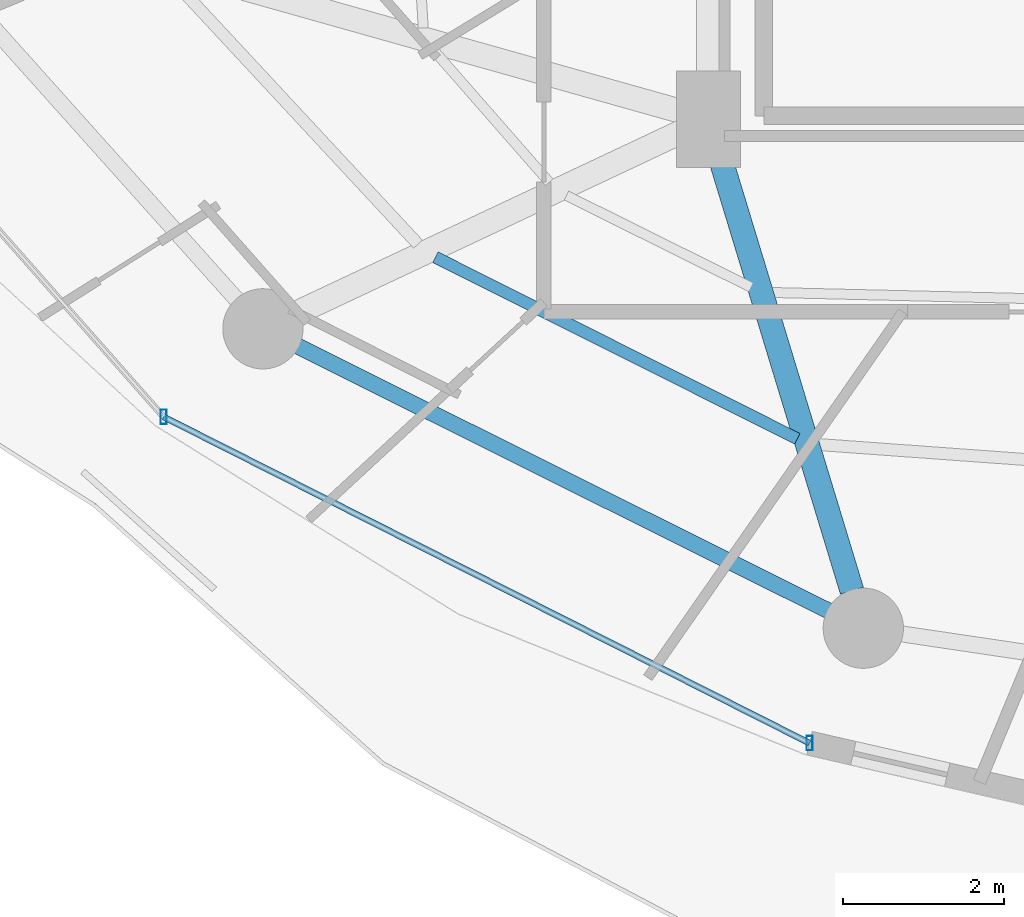
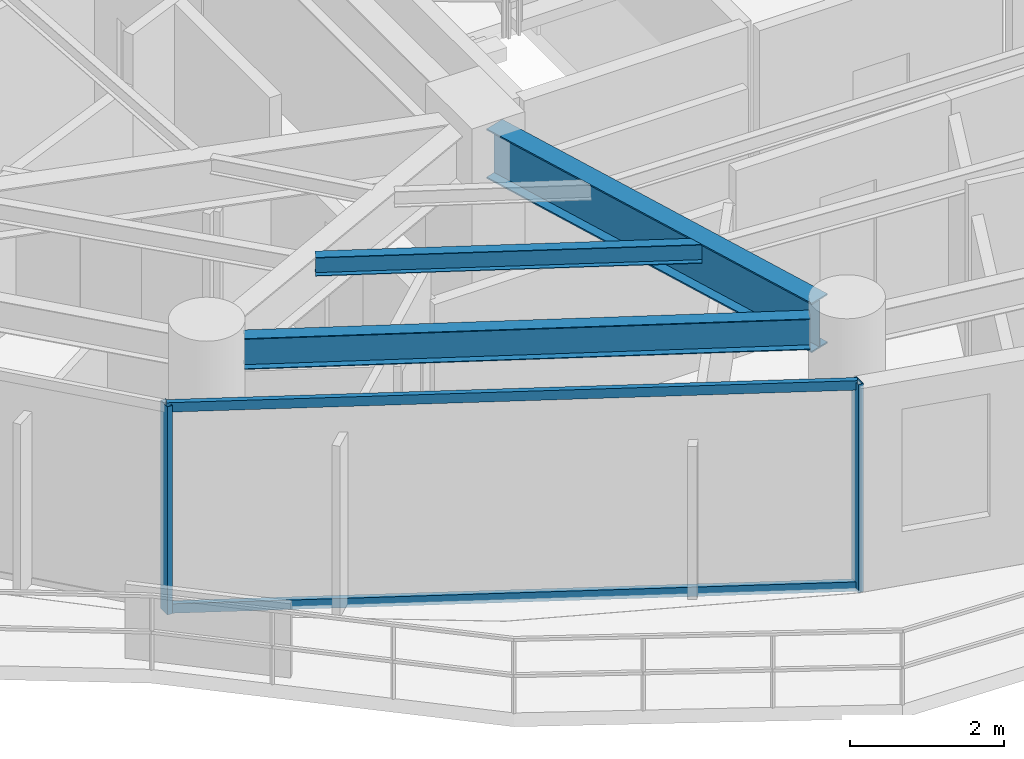
# One storey, part 2 of 28: 4 members, 3 beams, 1 element without a shape of its own.
"""IFC4 building model written with IfcOpenShell, lengths in metres."""

from ifc_helpers import new_model, si_unit, direction, frame, origin, origin_2d, place, context, subcontext, project, spatial, hollow_rectangle, i_section, extrude, material, material_profile, profile_set, type_object, element, aggregate, save


model = new_model("IFC4")

# Units and contexts
model_context = context("Model", 3, precision=1e-05, world=origin(), true_north=direction((0.0, 1.0)))
body_context = subcontext(model_context, "Body", "Model", "MODEL_VIEW")
ifc_project = project(units=[si_unit("LENGTHUNIT", "METRE"), si_unit("AREAUNIT", "SQUARE_METRE"), si_unit("VOLUMEUNIT", "CUBIC_METRE"), si_unit("PLANEANGLEUNIT", "RADIAN"), si_unit("MASSUNIT", "GRAM", prefix="KILO")], contexts=[model_context])

# Site, building, storey
site_placement = place(None, origin())
site = spatial("IfcSite", under=ifc_project, at=site_placement, CompositionType="ELEMENT")
building_placement = place(site_placement, origin())
building = spatial("IfcBuilding", under=site, at=building_placement, Name="Vorneva Point Tower", CompositionType="ELEMENT")
storey_placement = place(building_placement, frame((0.0, 0.0, 146.60009765625)))
storey = spatial("IfcBuildingStorey", under=building, at=storey_placement, Name="L39", CompositionType="ELEMENT", Elevation=146.60009765625)

# Beams
ifc_material_1 = material(Name="Steel S355", Category="steel")
ifc_material_profile_1 = material_profile(ifc_material_1, i_section(OverallWidth=0.300048828125, OverallDepth=0.7880859375, WebThickness=0.014404296875, FlangeThickness=0.02197265625, at=origin_2d()), Name="80Sh1")
ifc_profile_set_1 = profile_set([ifc_material_profile_1], Name="Steel S355")
beam_type_1 = type_object("IfcBeamType", Name="BM-GRD-80Sh1", PredefinedType="USERDEFINED", material=ifc_profile_set_1)
beam_1_placement = place(storey_placement, frame((29.037109375, 10.576171875, 2.845947265625), z_axis=(-0.291049382966, 0.95670803105, 0.0), x_axis=(-0.95670803105, -0.291049382966, 0.0)))
element("IfcBeam", 1, at=beam_1_placement, inside=storey, type_object=beam_type_1, Name="L39 Radial Primary Girder 12", ObjectType="GIRDER", PredefinedType="USERDEFINED", context=body_context, shape_type="SweptSolid", body=[
    extrude(i_section(OverallWidth=0.300048828125, OverallDepth=0.7880859375, WebThickness=0.014404296875, FlangeThickness=0.02197265625, at=origin_2d()), origin(), (0.0, 0.0, 1.0), 5.799560546875),
])
ifc_material_profile_2 = material_profile(ifc_material_1, i_section(OverallWidth=0.14892578125, OverallDepth=0.298095703125, WebThickness=0.005615234375, FlangeThickness=0.008056640625, at=origin_2d()), Name="30B1")
ifc_profile_set_2 = profile_set([ifc_material_profile_2], Name="Steel S355")
beam_type_2 = type_object("IfcBeamType", Name="BM-JST-30B1", PredefinedType="JOIST", material=ifc_profile_set_2)
beam_2_placement = place(storey_placement, frame((23.85009765625, 14.7294921875, 3.0908203125), z_axis=(0.893855059999, -0.448356032316, 0.0), x_axis=(0.448356032316, 0.893855059999, 0.0)))
element("IfcBeam", 2, at=beam_2_placement, inside=storey, type_object=beam_type_2, Name="L39 Secondary Floor Beam 1.11", PredefinedType="JOIST", context=body_context, shape_type="SweptSolid", body=[
    extrude(i_section(OverallWidth=0.14892578125, OverallDepth=0.298095703125, WebThickness=0.005615234375, FlangeThickness=0.008056640625, at=origin_2d()), origin(), (0.0, 0.0, 1.0), 5.041748046875),
])
ifc_material_profile_3 = material_profile(ifc_material_1, i_section(OverallWidth=0.199951171875, OverallDepth=0.491943359375, WebThickness=0.0087890625, FlangeThickness=0.011962890625, at=origin_2d()), Name="50B1")
ifc_profile_set_3 = profile_set([ifc_material_profile_3], Name="Steel S355")
beam_type_3 = type_object("IfcBeamType", Name="BM-SPN-50B1", PredefinedType="SPANDREL", material=ifc_profile_set_3)
beam_3_placement = place(storey_placement, frame((22.13525390625, 13.621337890625, 2.993896484375), z_axis=(0.894929061397, -0.446208443518, 0.0), x_axis=(0.446208443518, 0.894929061397, 0.0)))
element("IfcBeam", 3, at=beam_3_placement, inside=storey, type_object=beam_type_3, Name="L39 Perimeter Spandrel Ring Beam 11", PredefinedType="SPANDREL", context=body_context, shape_type="SweptSolid", body=[
    extrude(i_section(OverallWidth=0.199951171875, OverallDepth=0.491943359375, WebThickness=0.0087890625, FlangeThickness=0.011962890625, at=origin_2d()), origin(), (0.0, 0.0, 1.0), 7.385986328125),
])

# Curtain wall, members
ifc_material_2 = material(Name="Pale anodised aluminium", Category="aluminium")
curtain_wall_type = type_object("IfcCurtainWallType", Name="CW-RES-SYS", PredefinedType="NOTDEFINED", material=ifc_material_2)
curtain_wall_placement = place(storey_placement, origin())
curtain_wall = element("IfcCurtainWall", 4, at=curtain_wall_placement, inside=storey, type_object=curtain_wall_type, Name="L39 Unitised Curtain Wall CW-L39-R02", PredefinedType="NOTDEFINED")
ifc_material_profile_4 = material_profile(ifc_material_2, hollow_rectangle(XDim=0.074951171875, YDim=0.179931640625, WallThickness=0.00390625, at=origin_2d()), Name="AL-MUL 180x75x4")
ifc_profile_set_4 = profile_set([ifc_material_profile_4], Name="Pale anodised aluminium")
member_type_1 = type_object("IfcMemberType", Name="CW-MUL-180", PredefinedType="MULLION", material=ifc_profile_set_4)
member_1_placement = place(storey_placement, frame((20.4638671875, 12.74169921875, -0.0400390625), z_axis=(0.0, 0.0, 1.0), x_axis=(1.0, 0.0, 0.0)))
member_1 = element("IfcMember", 5, at=member_1_placement, type_object=member_type_1, Name="CW-L39-R02 Mullion 05", PredefinedType="MULLION", context=body_context, shape_type="SweptSolid", body=[
    extrude(hollow_rectangle(XDim=0.074951171875, YDim=0.179931640625, WallThickness=0.00390625, at=origin_2d()), origin(), (0.0, 0.0, 1.0), 3.31005859375),
])
member_2_placement = place(storey_placement, frame((28.509521484375, 8.67724609375, -0.0400390625), z_axis=(0.0, 0.0, 1.0), x_axis=(1.0, 0.0, 0.0)))
member_2 = element("IfcMember", 6, at=member_2_placement, type_object=member_type_1, Name="CW-L39-R02 Mullion 06", PredefinedType="MULLION", context=body_context, shape_type="SweptSolid", body=[
    extrude(hollow_rectangle(XDim=0.074951171875, YDim=0.179931640625, WallThickness=0.00390625, at=origin_2d()), origin(), (0.0, 0.0, 1.0), 3.31005859375),
])
ifc_material_profile_5 = material_profile(ifc_material_2, hollow_rectangle(XDim=0.074951171875, YDim=0.14990234375, WallThickness=0.00390625, at=origin_2d()), Name="AL-TRN 150x75x4")
ifc_profile_set_5 = profile_set([ifc_material_profile_5], Name="Pale anodised aluminium")
member_type_2 = type_object("IfcMemberType", Name="CW-TRN-150", PredefinedType="USERDEFINED", material=ifc_profile_set_5)
member_3_placement = place(storey_placement, frame((20.4638671875, 12.74169921875, 0.02001953125), z_axis=(0.892572392955, -0.450904117673, 0.0), x_axis=(0.450904117673, 0.892572392955, 0.0)))
member_3 = element("IfcMember", 7, at=member_3_placement, type_object=member_type_2, Name="CW-L39-R02 Transom 05.1", ObjectType="TRANSOM", PredefinedType="USERDEFINED", context=body_context, shape_type="SweptSolid", body=[
    extrude(hollow_rectangle(XDim=0.074951171875, YDim=0.14990234375, WallThickness=0.00390625, at=origin_2d()), origin(), (0.0, 0.0, 1.0), 9.013916015625),
])
member_4_placement = place(storey_placement, frame((20.4638671875, 12.74169921875, 3.219970703125), z_axis=(0.892572392955, -0.450904117673, 0.0), x_axis=(0.450904117673, 0.892572392955, 0.0)))
member_4 = element("IfcMember", 8, at=member_4_placement, type_object=member_type_2, Name="CW-L39-R02 Transom 05.2", ObjectType="TRANSOM", PredefinedType="USERDEFINED", context=body_context, shape_type="SweptSolid", body=[
    extrude(hollow_rectangle(XDim=0.074951171875, YDim=0.14990234375, WallThickness=0.00390625, at=origin_2d()), origin(), (0.0, 0.0, 1.0), 9.013916015625),
])
aggregate(curtain_wall, [member_1, member_2, member_3, member_4])

save(model, "model.ifc")
